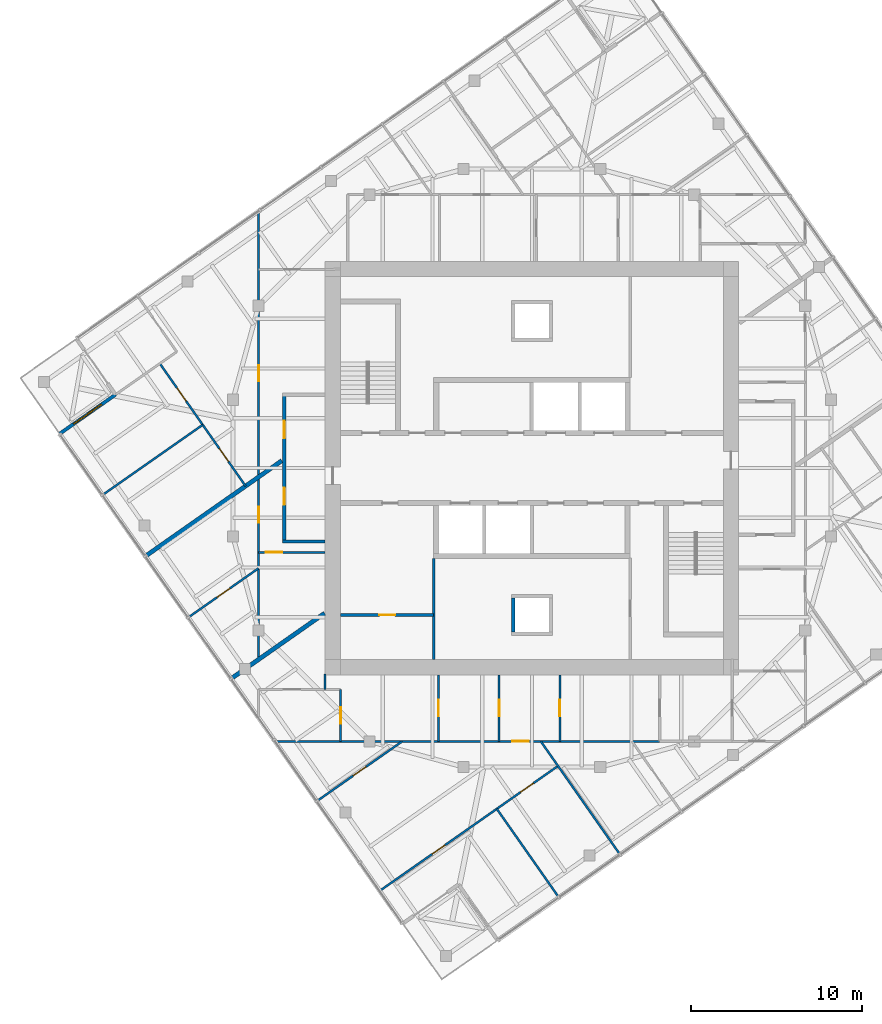
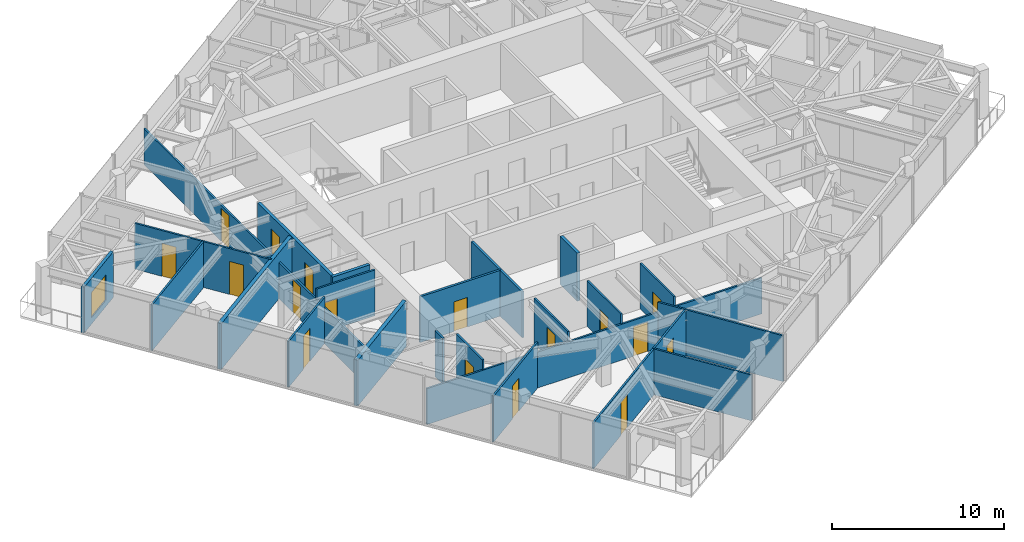
# One storey, part 7 of 12: 23 walls, 17 doors, 1 window, 18 openings.
"""IFC4 building model written with IfcOpenShell, lengths in metres."""

from ifc_helpers import new_model, si_unit, direction, frame, frame_2d, origin, place, context, subcontext, project, spatial, rectangle, extrude, material, layer, layer_set, type_object, element, fill, save


model = new_model("IFC4")

# Units and contexts
model_context = context("Model", 3, precision=1e-05, world=origin(), true_north=direction((0.0, 1.0)))
body_context = subcontext(model_context, "Body", "Model", "MODEL_VIEW")
ifc_project = project(units=[si_unit("LENGTHUNIT", "METRE"), si_unit("AREAUNIT", "SQUARE_METRE"), si_unit("VOLUMEUNIT", "CUBIC_METRE"), si_unit("PLANEANGLEUNIT", "RADIAN"), si_unit("MASSUNIT", "GRAM", prefix="KILO")], contexts=[model_context])

# Site, building, storey
site_placement = place(None, origin())
site = spatial("IfcSite", under=ifc_project, at=site_placement, CompositionType="ELEMENT")
building_placement = place(site_placement, origin())
building = spatial("IfcBuilding", under=site, at=building_placement, Name="Torsade Residences", CompositionType="ELEMENT")
storey_placement = place(building_placement, frame((0.0, 0.0, 254.0)))
storey = spatial("IfcBuildingStorey", under=building, at=storey_placement, Name="L70", CompositionType="ELEMENT", Elevation=254.0)

# Wall, openings, doors
ifc_material_1 = material(Name="Plasterboard on steel stud", Category="steel")
ifc_layer_1 = layer(ifc_material_1, 0.199951171875)
ifc_layer_set_1 = layer_set([ifc_layer_1], Name="Plasterboard on steel stud")
wall_type_1 = type_object("IfcWallType", Name="CORRIDOR WALL 200", PredefinedType="PARTITIONING", material=ifc_layer_set_1)
wall_1_placement = place(storey_placement, frame((25.5, 25.699951171875, 0.0), z_axis=(0.0, 0.0, 1.0), x_axis=(0.0, 1.0, 0.0)))
wall_1 = element("IfcWall", 1, at=wall_1_placement, inside=storey, type_object=wall_type_1, Name="Corridor wall L70", PredefinedType="PARTITIONING", context=body_context, shape_type="SweptSolid", body=[
    extrude(rectangle(XDim=8.60009765625, YDim=0.199951171875, at=frame_2d((4.300048828125, 0.0))), origin(), (0.0, 0.0, 1.0), 3.25),
])
opening_1_placement = place(wall_1_placement, frame((2.14208984375, 0.0, 0.0)))
opening_1 = element("IfcOpeningElement", 2, at=opening_1_placement, cuts=wall_1, Name="Opening D01", PredefinedType="OPENING", context=body_context, shape_type="SweptSolid", body=[
    extrude(rectangle(XDim=1.02001953125, YDim=2.340087890625, at=frame_2d((0.510009765625, 1.169921875))), frame((0.0, 0.10986328125, 0.0), z_axis=(0.0, -1.0, 0.0), x_axis=(1.0, 0.0, 0.0)), (0.0, 0.0, 1.0), 0.219970703125),
])
opening_2_placement = place(wall_1_placement, frame((6.036865234375, 0.0, 0.0)))
opening_2 = element("IfcOpeningElement", 3, at=opening_2_placement, cuts=wall_1, Name="Opening D01", PredefinedType="OPENING", context=body_context, shape_type="SweptSolid", body=[
    extrude(rectangle(XDim=1.02001953125, YDim=2.340087890625, at=frame_2d((0.510009765625, 1.169921875))), frame((0.0, 0.10986328125, 0.0), z_axis=(0.0, -1.0, 0.0), x_axis=(1.0, 0.0, 0.0)), (0.0, 0.0, 1.0), 0.219970703125),
])
ifc_material_2 = material(Name="Solid-core timber fire door", Category="wood")
door_type_1 = type_object("IfcDoorType", Name="APARTMENT ENTRY DOOR 1020x2340", OperationType="NOTDEFINED", PredefinedType="DOOR", material=ifc_material_2)
door_1_placement = place(opening_1_placement, origin())
door_1 = element("IfcDoor", 4, at=door_1_placement, inside=storey, type_object=door_type_1, Name="Door Residential corridor to Kitchen and dining", OperationType="SINGLE_SWING_RIGHT", OverallHeight=2.340087890625, OverallWidth=1.02001953125, PredefinedType="DOOR", context=body_context, shape_type="SweptSolid", body=[
    extrude(rectangle(XDim=1.02001953125, YDim=2.340087890625, at=frame_2d((0.510009765625, 1.169921875))), frame((0.0, 0.02490234375, 0.0), z_axis=(0.0, -1.0, 0.0), x_axis=(1.0, 0.0, 0.0)), (0.0, 0.0, 1.0), 0.050048828125),
])
fill(opening_1, door_1)
door_2_placement = place(opening_2_placement, origin())
door_2 = element("IfcDoor", 5, at=door_2_placement, inside=storey, type_object=door_type_1, Name="Door Residential corridor to Kitchen and dining", OperationType="SINGLE_SWING_LEFT", OverallHeight=2.340087890625, OverallWidth=1.02001953125, PredefinedType="DOOR", context=body_context, shape_type="SweptSolid", body=[
    extrude(rectangle(XDim=1.02001953125, YDim=2.340087890625, at=frame_2d((0.510009765625, 1.169921875))), frame((0.0, 0.02490234375, 0.0), z_axis=(0.0, -1.0, 0.0), x_axis=(1.0, 0.0, 0.0)), (0.0, 0.0, 1.0), 0.050048828125),
])
fill(opening_2, door_2)

# Wall
wall_2_placement = place(storey_placement, frame((27.89990234375, 25.699951171875, 0.0), z_axis=(0.0, 0.0, 1.0), x_axis=(-1.0, 0.0, 0.0)))
element("IfcWall", 6, at=wall_2_placement, inside=storey, type_object=wall_type_1, Name="Corridor wall L70", PredefinedType="PARTITIONING", context=body_context, shape_type="SweptSolid", body=[
    extrude(rectangle(XDim=2.5, YDim=0.199951171875, at=frame_2d((1.25, 0.0))), origin(), (0.0, 0.0, 1.0), 3.25),
])

# Wall, opening, door
ifc_material_3 = material(Name="Plasterboard on steel stud", Category="steel")
ifc_layer_2 = layer(ifc_material_3, 0.1201171875)
ifc_layer_set_2 = layer_set([ifc_layer_2], Name="Plasterboard on steel stud")
wall_type_2 = type_object("IfcWallType", Name="PARTITION 120", PredefinedType="PARTITIONING", material=ifc_layer_set_2)
wall_3_placement = place(storey_placement, frame((27.89990234375, 25.06787109375, 0.0), z_axis=(0.0, 0.0, 1.0), x_axis=(-1.0, 0.0, 0.0)))
wall_3 = element("IfcWall", 7, at=wall_3_placement, inside=storey, type_object=wall_type_2, Name="Partition L70", PredefinedType="PARTITIONING", context=body_context, shape_type="SweptSolid", body=[
    extrude(rectangle(XDim=3.89990234375, YDim=0.1201171875, at=frame_2d((1.949951171875, 0.0))), origin(), (0.0, 0.0, 1.0), 3.25),
])
opening_3_placement = place(wall_3_placement, frame((2.52001953125, 0.0, 0.0)))
opening_3 = element("IfcOpeningElement", 8, at=opening_3_placement, cuts=wall_3, Name="Opening D05", PredefinedType="OPENING", context=body_context, shape_type="SweptSolid", body=[
    extrude(rectangle(XDim=0.9599609375, YDim=2.10009765625, at=frame_2d((0.47998046875, 1.050048828125))), frame((0.0, 0.070068359375, 0.0), z_axis=(0.0, -1.0, 0.0), x_axis=(1.0, 0.0, 0.0)), (0.0, 0.0, 1.0), 0.14013671875),
])
ifc_material_4 = material(Name="Hollow-core timber door in a steel cavity frame", Category="steel")
door_type_2 = type_object("IfcDoorType", Name="BATHROOM CAVITY SLIDING DOOR 960", OperationType="SLIDING_TO_LEFT", PredefinedType="DOOR", material=ifc_material_4)
door_3_placement = place(opening_3_placement, origin())
door_3 = element("IfcDoor", 9, at=door_3_placement, inside=storey, type_object=door_type_2, Name="Door Kitchen and dining to Bathroom", OperationType="SLIDING_TO_LEFT", OverallHeight=2.10009765625, OverallWidth=0.9599609375, PredefinedType="DOOR", context=body_context, shape_type="SweptSolid", body=[
    extrude(rectangle(XDim=0.9599609375, YDim=2.10009765625, at=frame_2d((0.47998046875, 1.050048828125))), frame((0.0, 0.02490234375, 0.0), z_axis=(0.0, -1.0, 0.0), x_axis=(1.0, 0.0, 0.0)), (0.0, 0.0, 1.0), 0.050048828125),
])
fill(opening_3, door_3)

# Wall, openings, doors
wall_4_placement = place(storey_placement, frame((24.0, 18.796630859375, 0.0), z_axis=(0.0, 0.0, 1.0), x_axis=(0.0, 1.0, 0.0)))
wall_4 = element("IfcWall", 10, at=wall_4_placement, inside=storey, type_object=wall_type_2, Name="Partition L70", PredefinedType="PARTITIONING", context=body_context, shape_type="SweptSolid", body=[
    extrude(rectangle(XDim=26.19775390625, YDim=0.1201171875, at=frame_2d((13.098876953125, 0.0))), origin(), (0.0, 0.0, 1.0), 2.549072265625),
])
opening_4_placement = place(wall_4_placement, frame((8.016357421875, 0.0, 0.0)))
opening_4 = element("IfcOpeningElement", 11, at=opening_4_placement, cuts=wall_4, Name="Opening D02", PredefinedType="OPENING", context=body_context, shape_type="SweptSolid", body=[
    extrude(rectangle(XDim=0.919921875, YDim=2.340087890625, at=frame_2d((0.4599609375, 1.169921875))), frame((0.0, 0.070068359375, 0.0), z_axis=(0.0, -1.0, 0.0), x_axis=(1.0, 0.0, 0.0)), (0.0, 0.0, 1.0), 0.14013671875),
])
opening_5_placement = place(wall_4_placement, frame((16.291748046875, 0.0, 0.0)))
opening_5 = element("IfcOpeningElement", 12, at=opening_5_placement, cuts=wall_4, Name="Opening D02", PredefinedType="OPENING", context=body_context, shape_type="SweptSolid", body=[
    extrude(rectangle(XDim=0.919921875, YDim=2.340087890625, at=frame_2d((0.4599609375, 1.169921875))), frame((0.0, 0.070068359375, 0.0), z_axis=(0.0, -1.0, 0.0), x_axis=(1.0, 0.0, 0.0)), (0.0, 0.0, 1.0), 0.14013671875),
])
ifc_material_5 = material(Name="Hollow-core timber door", Category="wood")
door_type_3 = type_object("IfcDoorType", Name="INTERNAL DOOR 920x2340", OperationType="NOTDEFINED", PredefinedType="DOOR", material=ifc_material_5)
door_4_placement = place(opening_4_placement, origin())
door_4 = element("IfcDoor", 13, at=door_4_placement, inside=storey, type_object=door_type_3, Name="Door Kitchen and dining to Living room", OperationType="SINGLE_SWING_RIGHT", OverallHeight=2.340087890625, OverallWidth=0.919921875, PredefinedType="DOOR", context=body_context, shape_type="SweptSolid", body=[
    extrude(rectangle(XDim=0.919921875, YDim=2.340087890625, at=frame_2d((0.4599609375, 1.169921875))), frame((0.0, 0.02490234375, 0.0), z_axis=(0.0, -1.0, 0.0), x_axis=(1.0, 0.0, 0.0)), (0.0, 0.0, 1.0), 0.050048828125),
])
fill(opening_4, door_4)
door_5_placement = place(opening_5_placement, origin())
door_5 = element("IfcDoor", 14, at=door_5_placement, inside=storey, type_object=door_type_3, Name="Door Kitchen and dining to Living room", OperationType="SINGLE_SWING_LEFT", OverallHeight=2.340087890625, OverallWidth=0.919921875, PredefinedType="DOOR", context=body_context, shape_type="SweptSolid", body=[
    extrude(rectangle(XDim=0.919921875, YDim=2.340087890625, at=frame_2d((0.4599609375, 1.169921875))), frame((0.0, 0.02490234375, 0.0), z_axis=(0.0, -1.0, 0.0), x_axis=(1.0, 0.0, 0.0)), (0.0, 0.0, 1.0), 0.050048828125),
])
fill(opening_5, door_5)

# Wall, opening, door
wall_5_placement = place(storey_placement, frame((24.0, 24.1376953125, 0.0), z_axis=(0.0, 0.0, 1.0), x_axis=(-0.819144584763, -0.57358708951, 0.0)))
wall_5 = element("IfcWall", 15, at=wall_5_placement, inside=storey, type_object=wall_type_2, Name="Partition L70", PredefinedType="PARTITIONING", context=body_context, shape_type="SweptSolid", body=[
    extrude(rectangle(XDim=4.990966796875, YDim=0.1201171875, at=frame_2d((2.49560546875, 0.0))), origin(), (0.0, 0.0, 1.0), 3.25),
])
opening_6_placement = place(wall_5_placement, frame((2.055419921875, 0.0, 0.0)))
opening_6 = element("IfcOpeningElement", 16, at=opening_6_placement, cuts=wall_5, Name="Opening D02", PredefinedType="OPENING", context=body_context, shape_type="SweptSolid", body=[
    extrude(rectangle(XDim=0.919921875, YDim=2.340087890625, at=frame_2d((0.4599609375, 1.169921875))), frame((0.0, 0.070068359375, 0.0), z_axis=(0.0, -1.0, 0.0), x_axis=(1.0, 0.0, 0.0)), (0.0, 0.0, 1.0), 0.14013671875),
])
door_6_placement = place(opening_6_placement, origin())
door_6 = element("IfcDoor", 17, at=door_6_placement, inside=storey, type_object=door_type_3, Name="Door Living room to Bedroom 1", OperationType="SINGLE_SWING_LEFT", OverallHeight=2.340087890625, OverallWidth=0.919921875, PredefinedType="DOOR", context=body_context, shape_type="SweptSolid", body=[
    extrude(rectangle(XDim=0.919921875, YDim=2.340087890625, at=frame_2d((0.4599609375, 1.169921875))), frame((0.0, 0.02490234375, 0.0), z_axis=(0.0, -1.0, 0.0), x_axis=(1.0, 0.0, 0.0)), (0.0, 0.0, 1.0), 0.050048828125),
])
fill(opening_6, door_6)

# Wall
wall_6_placement = place(storey_placement, frame((27.89990234375, 17.949951171875, 0.0), z_axis=(0.0, 0.0, 1.0), x_axis=(0.0, -1.0, 0.0)))
element("IfcWall", 18, at=wall_6_placement, inside=storey, type_object=wall_type_2, Name="Partition L70", PredefinedType="PARTITIONING", context=body_context, shape_type="SweptSolid", body=[
    extrude(rectangle(XDim=0.90869140625, YDim=0.1201171875, at=frame_2d((0.454345703125, 0.0))), origin(), (0.0, 0.0, 1.0), 3.25),
])

# Wall, opening, door
wall_7_placement = place(storey_placement, frame((28.80712890625, 17.041259765625, 0.0), z_axis=(0.0, 0.0, 1.0), x_axis=(0.0, -1.0, 0.0)))
wall_7 = element("IfcWall", 19, at=wall_7_placement, inside=storey, type_object=wall_type_2, Name="Partition L70", PredefinedType="PARTITIONING", context=body_context, shape_type="SweptSolid", body=[
    extrude(rectangle(XDim=3.041259765625, YDim=0.1201171875, at=frame_2d((1.5205078125, 0.0))), origin(), (0.0, 0.0, 1.0), 3.25),
])
opening_7_placement = place(wall_7_placement, frame((1.04052734375, 0.0, 0.0)))
opening_7 = element("IfcOpeningElement", 20, at=opening_7_placement, cuts=wall_7, Name="Opening D05", PredefinedType="OPENING", context=body_context, shape_type="SweptSolid", body=[
    extrude(rectangle(XDim=0.9599609375, YDim=2.10009765625, at=frame_2d((0.47998046875, 1.050048828125))), frame((0.0, 0.070068359375, 0.0), z_axis=(0.0, -1.0, 0.0), x_axis=(1.0, 0.0, 0.0)), (0.0, 0.0, 1.0), 0.14013671875),
])
door_7_placement = place(opening_7_placement, origin())
door_7 = element("IfcDoor", 21, at=door_7_placement, inside=storey, type_object=door_type_2, Name="Door WC to Dressing room", OperationType="SLIDING_TO_LEFT", OverallHeight=2.10009765625, OverallWidth=0.9599609375, PredefinedType="DOOR", context=body_context, shape_type="SweptSolid", body=[
    extrude(rectangle(XDim=0.9599609375, YDim=2.10009765625, at=frame_2d((0.47998046875, 1.050048828125))), frame((0.0, 0.02490234375, 0.0), z_axis=(0.0, -1.0, 0.0), x_axis=(1.0, 0.0, 0.0)), (0.0, 0.0, 1.0), 0.050048828125),
])
fill(opening_7, door_7)

wall_8_placement = place(storey_placement, frame((47.476318359375, 14.0, 0.0), z_axis=(0.0, 0.0, 1.0), x_axis=(-1.0, 0.0, 0.0)))
wall_8 = element("IfcWall", 22, at=wall_8_placement, inside=storey, type_object=wall_type_2, Name="Partition L70", PredefinedType="PARTITIONING", context=body_context, shape_type="SweptSolid", body=[
    extrude(rectangle(XDim=22.470703125, YDim=0.1201171875, at=frame_2d((11.2353515625, 0.0))), origin(), (0.0, 0.0, 1.0), 2.549072265625),
])
opening_8_placement = place(wall_8_placement, frame((7.6640625, 0.0, 0.0)))
opening_8 = element("IfcOpeningElement", 23, at=opening_8_placement, cuts=wall_8, Name="Opening D05", PredefinedType="OPENING", context=body_context, shape_type="SweptSolid", body=[
    extrude(rectangle(XDim=0.9599609375, YDim=2.10009765625, at=frame_2d((0.47998046875, 1.050048828125))), frame((0.0, 0.070068359375, 0.0), z_axis=(0.0, -1.0, 0.0), x_axis=(1.0, 0.0, 0.0)), (0.0, 0.0, 1.0), 0.14013671875),
])
door_8_placement = place(opening_8_placement, origin())
door_8 = element("IfcDoor", 24, at=door_8_placement, inside=storey, type_object=door_type_2, Name="Door Ensuite to Living room", OperationType="SLIDING_TO_LEFT", OverallHeight=2.10009765625, OverallWidth=0.9599609375, PredefinedType="DOOR", context=body_context, shape_type="SweptSolid", body=[
    extrude(rectangle(XDim=0.9599609375, YDim=2.10009765625, at=frame_2d((0.47998046875, 1.050048828125))), frame((0.0, 0.02490234375, 0.0), z_axis=(0.0, -1.0, 0.0), x_axis=(1.0, 0.0, 0.0)), (0.0, 0.0, 1.0), 0.050048828125),
])
fill(opening_8, door_8)

wall_9_placement = place(storey_placement, frame((34.5302734375, 17.89990234375, 0.0), z_axis=(0.0, 0.0, 1.0), x_axis=(0.0, -1.0, 0.0)))
wall_9 = element("IfcWall", 25, at=wall_9_placement, inside=storey, type_object=wall_type_2, Name="Partition L70", PredefinedType="PARTITIONING", context=body_context, shape_type="SweptSolid", body=[
    extrude(rectangle(XDim=3.89990234375, YDim=0.1201171875, at=frame_2d((1.949951171875, 0.0))), origin(), (0.0, 0.0, 1.0), 3.25),
])
opening_9_placement = place(wall_9_placement, frame((1.469970703125, 0.0, 0.0)))
opening_9 = element("IfcOpeningElement", 26, at=opening_9_placement, cuts=wall_9, Name="Opening D05", PredefinedType="OPENING", context=body_context, shape_type="SweptSolid", body=[
    extrude(rectangle(XDim=0.9599609375, YDim=2.10009765625, at=frame_2d((0.47998046875, 1.050048828125))), frame((0.0, 0.070068359375, 0.0), z_axis=(0.0, -1.0, 0.0), x_axis=(1.0, 0.0, 0.0)), (0.0, 0.0, 1.0), 0.14013671875),
])
door_9_placement = place(opening_9_placement, origin())
door_9 = element("IfcDoor", 27, at=door_9_placement, inside=storey, type_object=door_type_2, Name="Door Dressing room 2 to WC", OperationType="SLIDING_TO_LEFT", OverallHeight=2.10009765625, OverallWidth=0.9599609375, PredefinedType="DOOR", context=body_context, shape_type="SweptSolid", body=[
    extrude(rectangle(XDim=0.9599609375, YDim=2.10009765625, at=frame_2d((0.47998046875, 1.050048828125))), frame((0.0, 0.02490234375, 0.0), z_axis=(0.0, -1.0, 0.0), x_axis=(1.0, 0.0, 0.0)), (0.0, 0.0, 1.0), 0.050048828125),
])
fill(opening_9, door_9)

wall_10_placement = place(storey_placement, frame((38.081787109375, 14.0, 0.0), z_axis=(0.0, 0.0, 1.0), x_axis=(0.0, 1.0, 0.0)))
wall_10 = element("IfcWall", 28, at=wall_10_placement, inside=storey, type_object=wall_type_2, Name="Partition L70", PredefinedType="PARTITIONING", context=body_context, shape_type="SweptSolid", body=[
    extrude(rectangle(XDim=3.89990234375, YDim=0.1201171875, at=frame_2d((1.949951171875, 0.0))), origin(), (0.0, 0.0, 1.0), 3.25),
])
opening_10_placement = place(wall_10_placement, frame((1.469970703125, 0.0, 0.0)))
opening_10 = element("IfcOpeningElement", 29, at=opening_10_placement, cuts=wall_10, Name="Opening D05", PredefinedType="OPENING", context=body_context, shape_type="SweptSolid", body=[
    extrude(rectangle(XDim=0.9599609375, YDim=2.10009765625, at=frame_2d((0.47998046875, 1.050048828125))), frame((0.0, 0.070068359375, 0.0), z_axis=(0.0, -1.0, 0.0), x_axis=(1.0, 0.0, 0.0)), (0.0, 0.0, 1.0), 0.14013671875),
])
door_10_placement = place(opening_10_placement, origin())
door_10 = element("IfcDoor", 30, at=door_10_placement, inside=storey, type_object=door_type_2, Name="Door Ensuite to Dressing room 2", OperationType="SLIDING_TO_LEFT", OverallHeight=2.10009765625, OverallWidth=0.9599609375, PredefinedType="DOOR", context=body_context, shape_type="SweptSolid", body=[
    extrude(rectangle(XDim=0.9599609375, YDim=2.10009765625, at=frame_2d((0.47998046875, 1.050048828125))), frame((0.0, 0.02490234375, 0.0), z_axis=(0.0, -1.0, 0.0), x_axis=(1.0, 0.0, 0.0)), (0.0, 0.0, 1.0), 0.050048828125),
])
fill(opening_10, door_10)

wall_11_placement = place(storey_placement, frame((41.633544921875, 17.89990234375, 0.0), z_axis=(0.0, 0.0, 1.0), x_axis=(0.0, -1.0, 0.0)))
wall_11 = element("IfcWall", 31, at=wall_11_placement, inside=storey, type_object=wall_type_2, Name="Partition L70", PredefinedType="PARTITIONING", context=body_context, shape_type="SweptSolid", body=[
    extrude(rectangle(XDim=3.89990234375, YDim=0.1201171875, at=frame_2d((1.949951171875, 0.0))), origin(), (0.0, 0.0, 1.0), 3.25),
])
opening_11_placement = place(wall_11_placement, frame((1.469970703125, 0.0, 0.0)))
opening_11 = element("IfcOpeningElement", 32, at=opening_11_placement, cuts=wall_11, Name="Opening D05", PredefinedType="OPENING", context=body_context, shape_type="SweptSolid", body=[
    extrude(rectangle(XDim=0.9599609375, YDim=2.10009765625, at=frame_2d((0.47998046875, 1.050048828125))), frame((0.0, 0.070068359375, 0.0), z_axis=(0.0, -1.0, 0.0), x_axis=(1.0, 0.0, 0.0)), (0.0, 0.0, 1.0), 0.14013671875),
])
door_11_placement = place(opening_11_placement, origin())
door_11 = element("IfcDoor", 33, at=door_11_placement, inside=storey, type_object=door_type_2, Name="Door Laundry to Ensuite", OperationType="SLIDING_TO_LEFT", OverallHeight=2.10009765625, OverallWidth=0.9599609375, PredefinedType="DOOR", context=body_context, shape_type="SweptSolid", body=[
    extrude(rectangle(XDim=0.9599609375, YDim=2.10009765625, at=frame_2d((0.47998046875, 1.050048828125))), frame((0.0, 0.02490234375, 0.0), z_axis=(0.0, -1.0, 0.0), x_axis=(1.0, 0.0, 0.0)), (0.0, 0.0, 1.0), 0.050048828125),
])
fill(opening_11, door_11)

# Wall, openings, doors
wall_12_placement = place(storey_placement, frame((41.528076171875, 12.5625, 0.0), z_axis=(0.0, 0.0, 1.0), x_axis=(-0.819146182185, -0.573584808212, 0.0)))
wall_12 = element("IfcWall", 34, at=wall_12_placement, inside=storey, type_object=wall_type_2, Name="Partition L70", PredefinedType="PARTITIONING", context=body_context, shape_type="SweptSolid", body=[
    extrude(rectangle(XDim=12.7099609375, YDim=0.1201171875, at=frame_2d((6.35498046875, 0.0))), origin(), (0.0, 0.0, 1.0), 3.25),
])
opening_12_placement = place(wall_12_placement, frame((8.077392578125, 0.0, 0.0)))
opening_12 = element("IfcOpeningElement", 35, at=opening_12_placement, cuts=wall_12, Name="Opening D02", PredefinedType="OPENING", context=body_context, shape_type="SweptSolid", body=[
    extrude(rectangle(XDim=0.919921875, YDim=2.340087890625, at=frame_2d((0.4599609375, 1.169921875))), frame((0.0, 0.070068359375, 0.0), z_axis=(0.0, -1.0, 0.0), x_axis=(1.0, 0.0, 0.0)), (0.0, 0.0, 1.0), 0.14013671875),
])
opening_13_placement = place(wall_12_placement, frame((1.75244140625, 0.0, 0.0)))
opening_13 = element("IfcOpeningElement", 36, at=opening_13_placement, cuts=wall_12, Name="Opening D02", PredefinedType="OPENING", context=body_context, shape_type="SweptSolid", body=[
    extrude(rectangle(XDim=0.919921875, YDim=2.340087890625, at=frame_2d((0.4599609375, 1.169921875))), frame((0.0, 0.070068359375, 0.0), z_axis=(0.0, -1.0, 0.0), x_axis=(1.0, 0.0, 0.0)), (0.0, 0.0, 1.0), 0.14013671875),
])
door_12_placement = place(opening_12_placement, origin())
door_12 = element("IfcDoor", 37, at=door_12_placement, inside=storey, type_object=door_type_3, Name="Door Living room to Bedroom 1", OperationType="SINGLE_SWING_LEFT", OverallHeight=2.340087890625, OverallWidth=0.919921875, PredefinedType="DOOR", context=body_context, shape_type="SweptSolid", body=[
    extrude(rectangle(XDim=0.919921875, YDim=2.340087890625, at=frame_2d((0.4599609375, 1.169921875))), frame((0.0, 0.02490234375, 0.0), z_axis=(0.0, -1.0, 0.0), x_axis=(1.0, 0.0, 0.0)), (0.0, 0.0, 1.0), 0.050048828125),
])
fill(opening_12, door_12)
door_13_placement = place(opening_13_placement, origin())
door_13 = element("IfcDoor", 38, at=door_13_placement, inside=storey, type_object=door_type_3, Name="Door Living room to Study 2", OperationType="SINGLE_SWING_RIGHT", OverallHeight=2.340087890625, OverallWidth=0.919921875, PredefinedType="DOOR", context=body_context, shape_type="SweptSolid", body=[
    extrude(rectangle(XDim=0.919921875, YDim=2.340087890625, at=frame_2d((0.4599609375, 1.169921875))), frame((0.0, 0.02490234375, 0.0), z_axis=(0.0, -1.0, 0.0), x_axis=(1.0, 0.0, 0.0)), (0.0, 0.0, 1.0), 0.050048828125),
])
fill(opening_13, door_13)

# Wall
wall_13_placement = place(storey_placement, frame((40.521484375, 14.0, 0.0), z_axis=(0.0, 0.0, 1.0), x_axis=(0.573574225095, -0.819153592623, 0.0)))
element("IfcWall", 39, at=wall_13_placement, inside=storey, type_object=wall_type_2, Name="Partition L70", PredefinedType="PARTITIONING", context=body_context, shape_type="SweptSolid", body=[
    extrude(rectangle(XDim=8.054443359375, YDim=0.1201171875, at=frame_2d((4.02734375, 0.0))), origin(), (0.0, 0.0, 1.0), 3.25),
])

# Wall, opening, door
wall_14_placement = place(storey_placement, frame((27.439697265625, 10.5234375, 0.0), z_axis=(0.0, 0.0, 1.0), x_axis=(0.81915432861, 0.573573173989, 0.0)))
wall_14 = element("IfcWall", 40, at=wall_14_placement, inside=storey, type_object=wall_type_2, Name="Partition L70", PredefinedType="PARTITIONING", context=body_context, shape_type="SweptSolid", body=[
    extrude(rectangle(XDim=6.061279296875, YDim=0.1201171875, at=frame_2d((3.03076171875, 0.0))), origin(), (0.0, 0.0, 1.0), 3.25),
])
opening_14_placement = place(wall_14_placement, frame((2.550537109375, 0.0, 0.0)))
opening_14 = element("IfcOpeningElement", 41, at=opening_14_placement, cuts=wall_14, Name="Opening D02", PredefinedType="OPENING", context=body_context, shape_type="SweptSolid", body=[
    extrude(rectangle(XDim=0.919921875, YDim=2.340087890625, at=frame_2d((0.4599609375, 1.169921875))), frame((0.0, 0.070068359375, 0.0), z_axis=(0.0, -1.0, 0.0), x_axis=(1.0, 0.0, 0.0)), (0.0, 0.0, 1.0), 0.14013671875),
])
door_14_placement = place(opening_14_placement, origin())
door_14 = element("IfcDoor", 42, at=door_14_placement, inside=storey, type_object=door_type_3, Name="Door Living room to Family room 2", OperationType="SINGLE_SWING_RIGHT", OverallHeight=2.340087890625, OverallWidth=0.919921875, PredefinedType="DOOR", context=body_context, shape_type="SweptSolid", body=[
    extrude(rectangle(XDim=0.919921875, YDim=2.340087890625, at=frame_2d((0.4599609375, 1.169921875))), frame((0.0, 0.02490234375, 0.0), z_axis=(0.0, -1.0, 0.0), x_axis=(1.0, 0.0, 0.0)), (0.0, 0.0, 1.0), 0.050048828125),
])
fill(opening_14, door_14)

# Wall
wall_15_placement = place(storey_placement, frame((37.9443359375, 10.052978515625, 0.0), z_axis=(0.0, 0.0, 1.0), x_axis=(0.573587188897, -0.81914451517, 0.0)))
element("IfcWall", 43, at=wall_15_placement, inside=storey, type_object=wall_type_2, Name="Partition L70", PredefinedType="PARTITIONING", context=body_context, shape_type="SweptSolid", body=[
    extrude(rectangle(XDim=6.299560546875, YDim=0.1201171875, at=frame_2d((3.14990234375, 0.0))), origin(), (0.0, 0.0, 1.0), 3.25),
])

# Wall, openings, doors
wall_16_placement = place(storey_placement, frame((23.240234375, 28.946533203125, 0.0), z_axis=(0.0, 0.0, 1.0), x_axis=(-0.573582185905, 0.819148018378, 0.0)))
wall_16 = element("IfcWall", 44, at=wall_16_placement, inside=storey, type_object=wall_type_2, Name="Partition L70", PredefinedType="PARTITIONING", context=body_context, shape_type="SweptSolid", body=[
    extrude(rectangle(XDim=8.75, YDim=0.1201171875, at=frame_2d((4.375, 0.0))), origin(), (0.0, 0.0, 1.0), 3.25),
])
opening_15_placement = place(wall_16_placement, frame((6.07763671875, 0.0, 0.0)))
opening_15 = element("IfcOpeningElement", 45, at=opening_15_placement, cuts=wall_16, Name="Opening D02", PredefinedType="OPENING", context=body_context, shape_type="SweptSolid", body=[
    extrude(rectangle(XDim=0.919921875, YDim=2.340087890625, at=frame_2d((0.4599609375, 1.169921875))), frame((0.0, 0.070068359375, 0.0), z_axis=(0.0, -1.0, 0.0), x_axis=(1.0, 0.0, 0.0)), (0.0, 0.0, 1.0), 0.14013671875),
])
opening_16_placement = place(wall_16_placement, frame((1.75244140625, 0.0, 0.0)))
opening_16 = element("IfcOpeningElement", 46, at=opening_16_placement, cuts=wall_16, Name="Opening D02", PredefinedType="OPENING", context=body_context, shape_type="SweptSolid", body=[
    extrude(rectangle(XDim=0.919921875, YDim=2.340087890625, at=frame_2d((0.4599609375, 1.169921875))), frame((0.0, 0.070068359375, 0.0), z_axis=(0.0, -1.0, 0.0), x_axis=(1.0, 0.0, 0.0)), (0.0, 0.0, 1.0), 0.14013671875),
])
door_15_placement = place(opening_15_placement, origin())
door_15 = element("IfcDoor", 47, at=door_15_placement, inside=storey, type_object=door_type_3, Name="Door Living room to Bedroom 3", OperationType="SINGLE_SWING_RIGHT", OverallHeight=2.340087890625, OverallWidth=0.919921875, PredefinedType="DOOR", context=body_context, shape_type="SweptSolid", body=[
    extrude(rectangle(XDim=0.919921875, YDim=2.340087890625, at=frame_2d((0.4599609375, 1.169921875))), frame((0.0, 0.02490234375, 0.0), z_axis=(0.0, -1.0, 0.0), x_axis=(1.0, 0.0, 0.0)), (0.0, 0.0, 1.0), 0.050048828125),
])
fill(opening_15, door_15)
door_16_placement = place(opening_16_placement, origin())
door_16 = element("IfcDoor", 48, at=door_16_placement, inside=storey, type_object=door_type_3, Name="Door Living room to Bedroom 4", OperationType="SINGLE_SWING_LEFT", OverallHeight=2.340087890625, OverallWidth=0.919921875, PredefinedType="DOOR", context=body_context, shape_type="SweptSolid", body=[
    extrude(rectangle(XDim=0.919921875, YDim=2.340087890625, at=frame_2d((0.4599609375, 1.169921875))), frame((0.0, 0.02490234375, 0.0), z_axis=(0.0, -1.0, 0.0), x_axis=(1.0, 0.0, 0.0)), (0.0, 0.0, 1.0), 0.050048828125),
])
fill(opening_16, door_16)

# Walls
wall_17_placement = place(storey_placement, frame((20.73095703125, 32.5302734375, 0.0), z_axis=(0.0, 0.0, 1.0), x_axis=(-0.819153056029, -0.573574991434, 0.0)))
element("IfcWall", 49, at=wall_17_placement, inside=storey, type_object=wall_type_2, Name="Partition L70", PredefinedType="PARTITIONING", context=body_context, shape_type="SweptSolid", body=[
    extrude(rectangle(XDim=7.126953125, YDim=0.1201171875, at=frame_2d((3.5634765625, 0.0))), origin(), (0.0, 0.0, 1.0), 3.25),
])
ifc_material_6 = material(Name="Masonry-lined stud party wall", Category="masonry")
ifc_layer_3 = layer(ifc_material_6, 0.25)
ifc_layer_set_3 = layer_set([ifc_layer_3], Name="Masonry-lined stud party wall")
wall_type_3 = type_object("IfcWallType", Name="PARTY WALL 250", PredefinedType="PARTITIONING", material=ifc_layer_set_3)
wall_18_placement = place(storey_placement, frame((22.38818359375, 17.668212890625, 0.0), z_axis=(0.0, 0.0, 1.0), x_axis=(0.819161528122, 0.573562891796, 0.0)))
element("IfcWall", 50, at=wall_18_placement, inside=storey, type_object=wall_type_3, Name="Party wall L70", PredefinedType="PARTITIONING", context=body_context, shape_type="SweptSolid", body=[
    extrude(rectangle(XDim=6.68115234375, YDim=0.25, at=frame_2d((3.340576171875, 0.0))), origin(), (0.0, 0.0, 1.0), 3.25),
])
wall_19_placement = place(storey_placement, frame((17.369384765625, 24.835693359375, 0.0), z_axis=(0.0, 0.0, 1.0), x_axis=(0.81915902312, 0.573566469418, 0.0)))
element("IfcWall", 51, at=wall_19_placement, inside=storey, type_object=wall_type_3, Name="Party wall L70", PredefinedType="PARTITIONING", context=body_context, shape_type="SweptSolid", body=[
    extrude(rectangle(XDim=9.755859375, YDim=0.25, at=frame_2d((4.8779296875, 0.0))), origin(), (0.0, 0.0, 1.0), 3.25),
])
ifc_material_7 = material(Name="Reinforced blockwork", Category="masonry")
ifc_layer_4 = layer(ifc_material_7, 0.199951171875)
ifc_layer_set_4 = layer_set([ifc_layer_4], Name="Reinforced blockwork")
wall_type_4 = type_object("IfcWallType", Name="RISER SHAFT WALL 200", PredefinedType="SOLIDWALL", material=ifc_layer_set_4)
wall_20_placement = place(storey_placement, frame((38.89990234375, 22.39990234375, 0.0), z_axis=(0.0, 0.0, 1.0), x_axis=(0.0, -1.0, 0.0)))
element("IfcWall", 52, at=wall_20_placement, inside=storey, type_object=wall_type_4, Name="Core wall RS2a L70", PredefinedType="SOLIDWALL", context=body_context, shape_type="SweptSolid", body=[
    extrude(rectangle(XDim=2.0, YDim=0.199951171875, at=frame_2d((1.0, 0.0))), origin(), (0.0, 0.0, 1.0), 3.39990234375),
])
ifc_material_8 = material(Name="Reinforced blockwork", Category="masonry")
ifc_layer_5 = layer(ifc_material_8, 0.14990234375)
ifc_layer_set_5 = layer_set([ifc_layer_5], Name="Reinforced blockwork")
wall_type_5 = type_object("IfcWallType", Name="SERVICE ROOM WALL 150", PredefinedType="SOLIDWALL", material=ifc_layer_set_5)
wall_21_placement = place(storey_placement, frame((34.25, 18.800048828125, 0.0), z_axis=(0.0, 0.0, 1.0), x_axis=(0.0, 1.0, 0.0)))
element("IfcWall", 53, at=wall_21_placement, inside=storey, type_object=wall_type_5, Name="Service room wall L70", PredefinedType="SOLIDWALL", context=body_context, shape_type="SweptSolid", body=[
    extrude(rectangle(XDim=5.89990234375, YDim=0.14990234375, at=frame_2d((2.949951171875, 0.0))), origin(), (0.0, 0.0, 1.0), 3.25),
])

# Wall, opening, door
wall_22_placement = place(storey_placement, frame((34.25, 21.39990234375, 0.0), z_axis=(0.0, 0.0, 1.0), x_axis=(-1.0, 0.0, 0.0)))
wall_22 = element("IfcWall", 54, at=wall_22_placement, inside=storey, type_object=wall_type_5, Name="Service room wall L70", PredefinedType="SOLIDWALL", context=body_context, shape_type="SweptSolid", body=[
    extrude(rectangle(XDim=5.449951171875, YDim=0.14990234375, at=frame_2d((2.72509765625, 0.0))), origin(), (0.0, 0.0, 1.0), 3.25),
])
opening_17_placement = place(wall_22_placement, frame((2.264892578125, 0.0, 0.0)))
opening_17 = element("IfcOpeningElement", 55, at=opening_17_placement, cuts=wall_22, Name="Opening D06", PredefinedType="OPENING", context=body_context, shape_type="SweptSolid", body=[
    extrude(rectangle(XDim=0.919921875, YDim=2.10009765625, at=frame_2d((0.4599609375, 1.050048828125))), frame((0.0, 0.0849609375, 0.0), z_axis=(0.0, -1.0, 0.0), x_axis=(1.0, 0.0, 0.0)), (0.0, 0.0, 1.0), 0.169921875),
])
ifc_material_9 = material(Name="Steel-framed fire door", Category="steel")
door_type_4 = type_object("IfcDoorType", Name="FIRE DOOR 920", OperationType="NOTDEFINED", PredefinedType="DOOR", material=ifc_material_9)
door_17_placement = place(opening_17_placement, origin())
door_17 = element("IfcDoor", 56, at=door_17_placement, inside=storey, type_object=door_type_4, Name="Door Cleaner store to Building store", OperationType="SINGLE_SWING_LEFT", OverallHeight=2.10009765625, OverallWidth=0.919921875, PredefinedType="DOOR", context=body_context, shape_type="SweptSolid", body=[
    extrude(rectangle(XDim=0.919921875, YDim=2.10009765625, at=frame_2d((0.4599609375, 1.050048828125))), frame((0.0, 0.02490234375, 0.0), z_axis=(0.0, -1.0, 0.0), x_axis=(1.0, 0.0, 0.0)), (0.0, 0.0, 1.0), 0.050048828125),
])
fill(opening_17, door_17)

# Wall, opening, window
ifc_material_10 = material(Name="Stone-faced precast concrete 40 MPa panel", Category="masonry")
ifc_layer_6 = layer(ifc_material_10, 0.199951171875)
ifc_layer_set_6 = layer_set([ifc_layer_6], Name="Stone-faced precast concrete 40 MPa panel")
wall_type_6 = type_object("IfcWallType", Name="TERRACE WALL 200", PredefinedType="SOLIDWALL", material=ifc_layer_set_6)
wall_23_placement = place(storey_placement, frame((15.627197265625, 34.297607421875, 0.0), z_axis=(0.0, 0.0, 1.0), x_axis=(-0.819137286189, -0.573597512525, 0.0)))
wall_23 = element("IfcWall", 57, at=wall_23_placement, inside=storey, type_object=wall_type_6, Name="Terrace wall L70 9", PredefinedType="SOLIDWALL", context=body_context, shape_type="SweptSolid", body=[
    extrude(rectangle(XDim=4.0, YDim=0.199951171875, at=frame_2d((2.0, 0.0))), origin(), (0.0, 0.0, 1.0), 3.25),
])
opening_18_placement = place(wall_23_placement, frame((1.0, 0.0, 0.449951171875)))
opening_18 = element("IfcOpeningElement", 58, at=opening_18_placement, cuts=wall_23, Name="Opening W1B", PredefinedType="OPENING", context=body_context, shape_type="SweptSolid", body=[
    extrude(rectangle(XDim=2.0, YDim=1.800048828125, at=frame_2d((1.0, 0.89990234375))), frame((0.0, 0.10986328125, 0.0), z_axis=(0.0, -1.0, 0.0), x_axis=(1.0, 0.0, 0.0)), (0.0, 0.0, 1.0), 0.219970703125),
])
ifc_material_11 = material(Name="Aluminium-framed glass window", Category="aluminium")
window_type = type_object("IfcWindowType", Name="TERRACE WINDOW 2000x1800", PartitioningType="SINGLE_PANEL", PredefinedType="WINDOW", material=ifc_material_11)
window_placement = place(opening_18_placement, origin())
window = element("IfcWindow", 59, at=window_placement, inside=storey, type_object=window_type, Name="Terrace window L70 9", OverallHeight=1.800048828125, OverallWidth=2.0, PartitioningType="SINGLE_PANEL", PredefinedType="WINDOW", context=body_context, shape_type="SweptSolid", body=[
    extrude(rectangle(XDim=2.0, YDim=1.800048828125, at=frame_2d((1.0, 0.89990234375))), frame((0.0, 0.030029296875, 0.0), z_axis=(0.0, -1.0, 0.0), x_axis=(1.0, 0.0, 0.0)), (0.0, 0.0, 1.0), 0.06005859375),
])
fill(opening_18, window)

save(model, "model.ifc")
